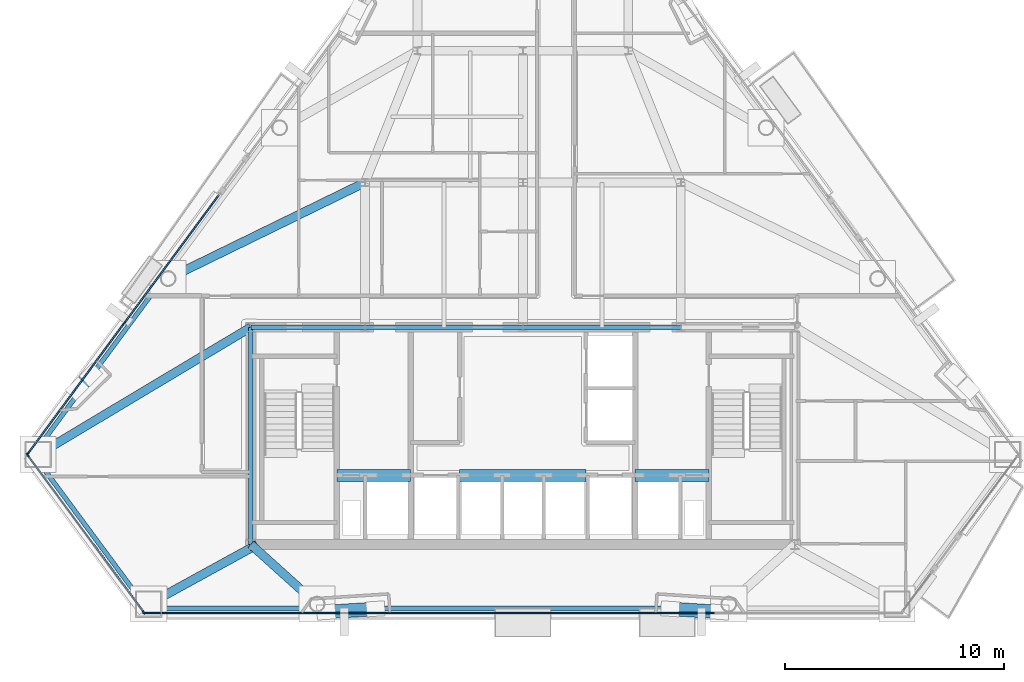
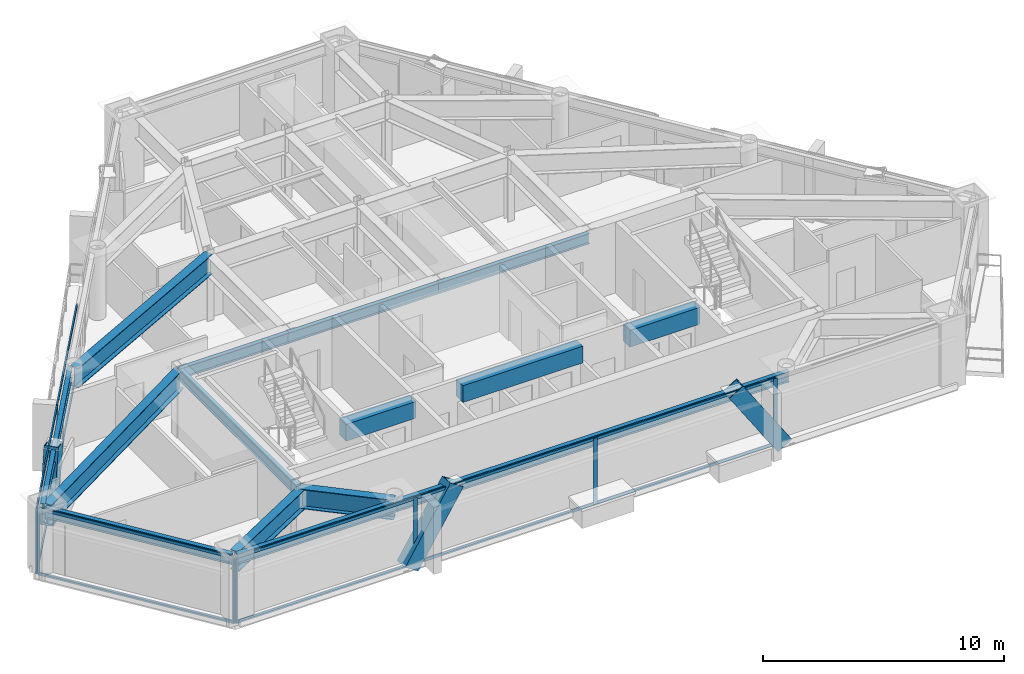
# One storey, part 3 of 11: 23 members, 15 beams, 3 elements without a shape of their own.
"""IFC4 building model written with IfcOpenShell, lengths in metres."""

from ifc_helpers import new_model, si_unit, direction, frame, origin, origin_2d, place, context, subcontext, project, spatial, rectangle, hollow_rectangle, i_section, extrude, material, layer, layer_set, material_profile, profile_set, type_object, element, aggregate, save


model = new_model("IFC4")

# Units and contexts
model_context = context("Model", 3, precision=1e-05, world=origin(), true_north=direction((0.0, 1.0)))
body_context = subcontext(model_context, "Body", "Model", "MODEL_VIEW")
ifc_project = project(units=[si_unit("LENGTHUNIT", "METRE"), si_unit("AREAUNIT", "SQUARE_METRE"), si_unit("VOLUMEUNIT", "CUBIC_METRE"), si_unit("PLANEANGLEUNIT", "RADIAN"), si_unit("MASSUNIT", "GRAM", prefix="KILO")], contexts=[model_context])

# Site, building, storey
site_placement = place(None, origin())
site = spatial("IfcSite", under=ifc_project, at=site_placement, CompositionType="ELEMENT")
building_placement = place(site_placement, origin())
building = spatial("IfcBuilding", under=site, at=building_placement, Name="Talgorran Terracotta Tower", CompositionType="ELEMENT")
storey_placement = place(building_placement, frame((0.0, 0.0, 140.10009765625)))
storey = spatial("IfcBuildingStorey", under=building, at=storey_placement, Name="L36", CompositionType="ELEMENT", Elevation=140.10009765625)

# Beams
ifc_material_1 = material(Name="Steel Grade 350 (350L0)", Category="steel")
ifc_material_profile_1 = material_profile(ifc_material_1, i_section(OverallWidth=0.39990234375, OverallDepth=1.0, WebThickness=0.01611328125, FlangeThickness=0.031005859375, at=origin_2d()), Name="1000WB296")
ifc_profile_set_1 = profile_set([ifc_material_profile_1], Name="Steel Grade 350 (350L0)")
beam_type_1 = type_object("IfcBeamType", Name="BM_1000WB296", PredefinedType="BEAM", material=ifc_profile_set_1)
beam_1_placement = place(storey_placement, frame((-9.381103515625, -16.81884765625, 2.849853515625), z_axis=(-0.74306999476, 0.669213704945, 0.0), x_axis=(-0.669213704945, -0.74306999476, 0.0)))
element("IfcBeam", 1, at=beam_1_placement, inside=storey, type_object=beam_type_1, Name="L36 South-West Core Tie Beam", PredefinedType="BEAM", context=body_context, shape_type="SweptSolid", body=[
    extrude(i_section(OverallWidth=0.39990234375, OverallDepth=1.0, WebThickness=0.01611328125, FlangeThickness=0.031005859375, at=origin_2d()), origin(), (0.0, 0.0, 1.0), 4.0625),
])
beam_2_placement = place(storey_placement, frame((-17.056884765625, -16.81884765625, 2.849853515625), z_axis=(0.876774230839, 0.480902223052, 0.0), x_axis=(-0.480902223052, 0.876774230839, 0.0)))
element("IfcBeam", 2, at=beam_2_placement, inside=storey, type_object=beam_type_1, Name="L36 Perimeter Step Girder 2", PredefinedType="BEAM", context=body_context, shape_type="SweptSolid", body=[
    extrude(i_section(OverallWidth=0.39990234375, OverallDepth=1.0, WebThickness=0.01611328125, FlangeThickness=0.031005859375, at=origin_2d()), origin(), (0.0, 0.0, 1.0), 5.6533203125),
])
beam_3_placement = place(storey_placement, frame((-7.199951171875, 2.39990234375, 2.849853515625), z_axis=(-0.898565721625, -0.438838972655, 0.0), x_axis=(0.438838972655, -0.898565721625, 0.0)))
element("IfcBeam", 3, at=beam_3_placement, inside=storey, type_object=beam_type_1, Name="L36 Floor Girder G06", PredefinedType="BEAM", context=body_context, shape_type="SweptSolid", body=[
    extrude(i_section(OverallWidth=0.39990234375, OverallDepth=1.0, WebThickness=0.01611328125, FlangeThickness=0.031005859375, at=origin_2d()), origin(), (0.0, 0.0, 1.0), 9.981689453125),
])
beam_4_placement = place(storey_placement, frame((-12.39990234375, -4.199951171875, 2.849853515625), z_axis=(-0.858174722871, -0.513357716436, 0.0), x_axis=(0.513357716436, -0.858174722871, 0.0)))
element("IfcBeam", 4, at=beam_4_placement, inside=storey, type_object=beam_type_1, Name="L36 Floor Girder G17", PredefinedType="BEAM", context=body_context, shape_type="SweptSolid", body=[
    extrude(i_section(OverallWidth=0.39990234375, OverallDepth=1.0, WebThickness=0.01611328125, FlangeThickness=0.031005859375, at=origin_2d()), origin(), (0.0, 0.0, 1.0), 11.298828125),
])
ifc_material_2 = material(Name="Concrete C50/60", Category="concrete")
ifc_material_profile_2 = material_profile(ifc_material_2, rectangle(XDim=0.550048828125, YDim=0.85009765625, at=origin_2d()), Name="RCCB550X850")
ifc_profile_set_2 = profile_set([ifc_material_profile_2], Name="Concrete C50/60")
beam_type_2 = type_object("IfcBeamType", Name="BM_CB_550X850", PredefinedType="LINTEL", material=ifc_profile_set_2)
beam_5_placement = place(storey_placement, frame((-8.47998046875, -10.949951171875, 2.9248046875), z_axis=(1.0, 0.0, 0.0), x_axis=(0.0, 1.0, 0.0)))
element("IfcBeam", 5, at=beam_5_placement, inside=storey, type_object=beam_type_2, Name="L36 Core Shear-Wall Coupling Beam CB1", PredefinedType="LINTEL", context=body_context, shape_type="SweptSolid", body=[
    extrude(rectangle(XDim=0.550048828125, YDim=0.85009765625, at=origin_2d()), origin(), (0.0, 0.0, 1.0), 3.35986328125),
])
beam_6_placement = place(storey_placement, frame((-2.8798828125, -10.949951171875, 2.9248046875), z_axis=(1.0, 0.0, 0.0), x_axis=(0.0, 1.0, 0.0)))
element("IfcBeam", 6, at=beam_6_placement, inside=storey, type_object=beam_type_2, Name="L36 Core Shear-Wall Coupling Beam CB2", PredefinedType="LINTEL", context=body_context, shape_type="SweptSolid", body=[
    extrude(rectangle(XDim=0.550048828125, YDim=0.85009765625, at=origin_2d()), origin(), (0.0, 0.0, 1.0), 5.759765625),
])
beam_7_placement = place(storey_placement, frame((5.1201171875, -10.949951171875, 2.9248046875), z_axis=(1.0, 0.0, 0.0), x_axis=(0.0, 1.0, 0.0)))
element("IfcBeam", 7, at=beam_7_placement, inside=storey, type_object=beam_type_2, Name="L36 Core Shear-Wall Coupling Beam CB3", PredefinedType="LINTEL", context=body_context, shape_type="SweptSolid", body=[
    extrude(rectangle(XDim=0.550048828125, YDim=0.85009765625, at=origin_2d()), origin(), (0.0, 0.0, 1.0), 3.35986328125),
])
ifc_material_3 = material(Name="Steel S355 (300PLUS)", Category="steel")
ifc_material_profile_3 = material_profile(ifc_material_3, i_section(OverallWidth=0.209228515625, OverallDepth=0.532958984375, WebThickness=0.01025390625, FlangeThickness=0.015625, at=origin_2d()), Name="530UB92.4")
ifc_profile_set_3 = profile_set([ifc_material_profile_3], Name="Steel S355 (300PLUS)")
beam_type_3 = type_object("IfcBeamType", Name="BM_SP_530UB92", PredefinedType="SPANDREL", material=ifc_profile_set_3)
beam_8_placement = place(storey_placement, frame((-22.2412109375, -10.107177734375, 3.08349609375), z_axis=(0.594369201234, -0.804192298288, 0.0), x_axis=(0.804192298288, 0.594369201234, 0.0)))
element("IfcBeam", 8, at=beam_8_placement, inside=storey, type_object=beam_type_3, Name="L36 Perimeter Spandrel Beam MC1-MC2", PredefinedType="SPANDREL", context=body_context, shape_type="SweptSolid", body=[
    extrude(i_section(OverallWidth=0.209228515625, OverallDepth=0.532958984375, WebThickness=0.01025390625, FlangeThickness=0.015625, at=origin_2d()), origin(), (0.0, 0.0, 1.0), 8.478759765625),
])
beam_9_placement = place(storey_placement, frame((-17.056884765625, -16.998779296875, 3.08349609375), z_axis=(1.0, 0.0, 0.0), x_axis=(0.0, 1.0, 0.0)))
element("IfcBeam", 9, at=beam_9_placement, inside=storey, type_object=beam_type_3, Name="L36 Perimeter Spandrel Beam MC2-FC1", PredefinedType="SPANDREL", context=body_context, shape_type="SweptSolid", body=[
    extrude(i_section(OverallWidth=0.209228515625, OverallDepth=0.532958984375, WebThickness=0.01025390625, FlangeThickness=0.015625, at=origin_2d()), origin(), (0.0, 0.0, 1.0), 7.67578125),
])
beam_10_placement = place(storey_placement, frame((-9.381103515625, -16.998779296875, 3.08349609375), z_axis=(1.0, 0.0, 0.0), x_axis=(0.0, 1.0, 0.0)))
element("IfcBeam", 10, at=beam_10_placement, inside=storey, type_object=beam_type_3, Name="L36 Perimeter Spandrel Beam FC1-FC2", PredefinedType="SPANDREL", context=body_context, shape_type="SweptSolid", body=[
    extrude(i_section(OverallWidth=0.209228515625, OverallDepth=0.532958984375, WebThickness=0.01025390625, FlangeThickness=0.015625, at=origin_2d()), origin(), (0.0, 0.0, 1.0), 18.76220703125),
])
beam_11_placement = place(storey_placement, frame((-16.31396484375, -1.873291015625, 3.08349609375), z_axis=(-0.594352513119, -0.804204632011, 0.0), x_axis=(0.804204632011, -0.594352513119, 0.0)))
element("IfcBeam", 11, at=beam_11_placement, inside=storey, type_object=beam_type_3, Name="L36 Perimeter Spandrel Beam FC6-MC1", PredefinedType="SPANDREL", context=body_context, shape_type="SweptSolid", body=[
    extrude(i_section(OverallWidth=0.209228515625, OverallDepth=0.532958984375, WebThickness=0.01025390625, FlangeThickness=0.015625, at=origin_2d()), origin(), (0.0, 0.0, 1.0), 9.97265625),
])
beam_12_placement = place(storey_placement, frame((-12.39990234375, -14.10009765625, 3.08349609375), z_axis=(0.0, 1.0, 0.0), x_axis=(-1.0, 0.0, 0.0)))
element("IfcBeam", 12, at=beam_12_placement, inside=storey, type_object=beam_type_3, Name="L36 Core Frame Beam CFW", PredefinedType="SPANDREL", context=body_context, shape_type="SweptSolid", body=[
    extrude(i_section(OverallWidth=0.209228515625, OverallDepth=0.532958984375, WebThickness=0.01025390625, FlangeThickness=0.015625, at=origin_2d()), origin(), (0.0, 0.0, 1.0), 9.900146484375),
])
beam_13_placement = place(storey_placement, frame((-12.39990234375, -4.199951171875, 3.08349609375), z_axis=(1.0, 0.0, 0.0), x_axis=(0.0, 1.0, 0.0)))
element("IfcBeam", 13, at=beam_13_placement, inside=storey, type_object=beam_type_3, Name="L36 Core Frame Beam CFN1", PredefinedType="SPANDREL", context=body_context, shape_type="SweptSolid", body=[
    extrude(i_section(OverallWidth=0.209228515625, OverallDepth=0.532958984375, WebThickness=0.01025390625, FlangeThickness=0.015625, at=origin_2d()), origin(), (0.0, 0.0, 1.0), 5.199951171875),
])
for number, where, z_axis, x_axis, name in (
    (14, (-7.199951171875, -4.199951171875, 3.08349609375), (1.0, 0.0, 0.0), (0.0, 1.0, 0.0), "L36 Core Frame Beam CFN2"),
    (15, (0.0, -4.199951171875, 3.08349609375), (1.0, 0.0, 0.0), (0.0, 1.0, 0.0), "L36 Core Frame Beam CFN3"),
):
    element("IfcBeam", number, at=place(storey_placement, frame(where, z_axis=z_axis, x_axis=x_axis)), inside=storey, type_object=beam_type_3, Name=name, PredefinedType="SPANDREL", context=body_context, shape_type="SweptSolid", body=[
        extrude(i_section(OverallWidth=0.209228515625, OverallDepth=0.532958984375, WebThickness=0.01025390625, FlangeThickness=0.015625, at=origin_2d()), origin(), (0.0, 0.0, 1.0), 7.199951171875),
    ])

# Members
ifc_material_profile_4 = material_profile(ifc_material_1, hollow_rectangle(XDim=0.6201171875, YDim=0.780029296875, WallThickness=0.0419921875, at=origin_2d()), Name="WBOX780X620X42")
ifc_profile_set_4 = profile_set([ifc_material_profile_4], Name="Steel Grade 350 (350L0)")
member_type_1 = type_object("IfcMemberType", Name="MB_MEGA_780", PredefinedType="BRACE", material=ifc_profile_set_4)
for number, where, z_axis, x_axis, name in (
    (16, (-8.964111328125, -17.178955078125, -0.025146484375), (0.551712113466, 0.035420623704, 0.833282139057), (-0.064069374757, 0.997945447015, 0.0), "L36 Exterior Face Mega-Brace MB-2 (SWF)"),
    (17, (8.964111328125, -17.178955078125, -0.025146484375), (-0.551712113466, 0.035420623704, 0.833282139057), (-0.064069374757, -0.997945447015, 0.0), "L36 Exterior Face Mega-Brace MB-2 (SEF)"),
):
    element("IfcMember", number, at=place(storey_placement, frame(where, z_axis=z_axis, x_axis=x_axis)), inside=storey, type_object=member_type_1, Name=name, PredefinedType="BRACE", context=body_context, shape_type="SweptSolid", body=[
        extrude(hollow_rectangle(XDim=0.6201171875, YDim=0.780029296875, WallThickness=0.0419921875, at=origin_2d()), origin(), (0.0, 0.0, 1.0), 4.080322265625),
    ])
member_1_placement = place(storey_placement, frame((-20.324951171875, -6.997802734375, -0.025146484375), z_axis=(0.180691172845, 0.17888564998, 0.967135266799), x_axis=(-0.703547356525, 0.710648377981, 0.0)))
element("IfcMember", 18, at=member_1_placement, inside=storey, type_object=member_type_1, Name="L36 Exterior Face Mega-Brace MB-2 (NWL)", PredefinedType="BRACE", context=body_context, shape_type="SweptSolid", body=[
    extrude(hollow_rectangle(XDim=0.6201171875, YDim=0.780029296875, WallThickness=0.0419921875, at=origin_2d()), origin(), (0.0, 0.0, 1.0), 3.515625),
])

# Curtain wall, members
ifc_material_4 = material(Name="Unitised Low-E Double Glazing", Category="glass")
ifc_layer = layer(ifc_material_4, 0.199951171875, Name="CW_SYS2_RES_LOW")
ifc_layer_set = layer_set([ifc_layer], Name="Unitised Low-E Double Glazing")
curtain_wall_type = type_object("IfcCurtainWallType", Name="CW_SYS2_RES_LOW", PredefinedType="NOTDEFINED", material=ifc_layer_set)
curtain_wall_1_placement = place(storey_placement, origin())
curtain_wall_1 = element("IfcCurtainWall", 19, at=curtain_wall_1_placement, inside=storey, type_object=curtain_wall_type, Name="CW-L36-F0", PredefinedType="NOTDEFINED")
ifc_material_5 = material(Name="Architectural Aluminium 6063-T6", Category="aluminium")
ifc_material_profile_5 = material_profile(ifc_material_5, rectangle(XDim=0.06494140625, YDim=0.18505859375, at=origin_2d()), Name="CWM65X185")
ifc_profile_set_5 = profile_set([ifc_material_profile_5], Name="Architectural Aluminium 6063-T6")
member_type_2 = type_object("IfcMemberType", Name="MUL_65X185", PredefinedType="MULLION", material=ifc_profile_set_5)
member_2_placement = place(storey_placement, frame((-22.574462890625, -10.0263671875, 0.0), z_axis=(0.0, 0.0, 1.0), x_axis=(0.80420068261, 0.594357856926, 0.0)))
member_2 = element("IfcMember", 20, at=member_2_placement, type_object=member_type_2, Name="CW-L36-0 mullion 1", PredefinedType="MULLION", context=body_context, shape_type="SweptSolid", body=[
    extrude(rectangle(XDim=0.06494140625, YDim=0.18505859375, at=origin_2d()), origin(), (0.0, 0.0, 1.0), 3.349853515625),
])
member_3_placement = place(storey_placement, frame((-17.27783203125, -17.19287109375, 0.0), z_axis=(0.0, 0.0, 1.0), x_axis=(0.80420068261, 0.594357856926, 0.0)))
member_3 = element("IfcMember", 21, at=member_3_placement, type_object=member_type_2, Name="CW-L36-0 mullion 2", PredefinedType="MULLION", context=body_context, shape_type="SweptSolid", body=[
    extrude(rectangle(XDim=0.06494140625, YDim=0.18505859375, at=origin_2d()), origin(), (0.0, 0.0, 1.0), 3.349853515625),
])

curtain_wall_2_placement = place(storey_placement, origin())
curtain_wall_2 = element("IfcCurtainWall", 22, at=curtain_wall_2_placement, inside=storey, type_object=curtain_wall_type, Name="CW-L36-F1", PredefinedType="NOTDEFINED")
member_4_placement = place(storey_placement, frame((-17.22607421875, -17.218994140625, 0.0), z_axis=(0.0, 0.0, 1.0), x_axis=(0.0, 1.0, 0.0)))
member_4 = element("IfcMember", 23, at=member_4_placement, type_object=member_type_2, Name="CW-L36-1 mullion 1", PredefinedType="MULLION", context=body_context, shape_type="SweptSolid", body=[
    extrude(rectangle(XDim=0.06494140625, YDim=0.18505859375, at=origin_2d()), origin(), (0.0, 0.0, 1.0), 3.349853515625),
])
member_5_placement = place(storey_placement, frame((-8.62939453125, -17.218994140625, 0.0), z_axis=(0.0, 0.0, 1.0), x_axis=(0.0, 1.0, 0.0)))
member_5 = element("IfcMember", 24, at=member_5_placement, type_object=member_type_2, Name="CW-L36-1 mullion 2", PredefinedType="MULLION", context=body_context, shape_type="SweptSolid", body=[
    extrude(rectangle(XDim=0.06494140625, YDim=0.18505859375, at=origin_2d()), origin(), (0.0, 0.0, 1.0), 3.349853515625),
])
member_6_placement = place(storey_placement, frame((0.0, -17.218994140625, 0.0), z_axis=(0.0, 0.0, 1.0), x_axis=(0.0, 1.0, 0.0)))
member_6 = element("IfcMember", 25, at=member_6_placement, type_object=member_type_2, Name="CW-L36-1 mullion 3", PredefinedType="MULLION", context=body_context, shape_type="SweptSolid", body=[
    extrude(rectangle(XDim=0.06494140625, YDim=0.18505859375, at=origin_2d()), origin(), (0.0, 0.0, 1.0), 3.349853515625),
])
member_7_placement = place(storey_placement, frame((8.62939453125, -17.218994140625, 0.0), z_axis=(0.0, 0.0, 1.0), x_axis=(0.0, 1.0, 0.0)))
member_7 = element("IfcMember", 26, at=member_7_placement, type_object=member_type_2, Name="CW-L36-1 mullion 4", PredefinedType="MULLION", context=body_context, shape_type="SweptSolid", body=[
    extrude(rectangle(XDim=0.06494140625, YDim=0.18505859375, at=origin_2d()), origin(), (0.0, 0.0, 1.0), 3.349853515625),
])

curtain_wall_3_placement = place(storey_placement, origin())
curtain_wall_3 = element("IfcCurtainWall", 27, at=curtain_wall_3_placement, inside=storey, type_object=curtain_wall_type, Name="CW-L36-F61", PredefinedType="NOTDEFINED")
member_8_placement = place(storey_placement, frame((-18.18994140625, -4.041748046875, 0.0), z_axis=(0.0, 0.0, 1.0), x_axis=(0.80419940728, -0.594359582518, 0.0)))
member_8 = element("IfcMember", 28, at=member_8_placement, type_object=member_type_2, Name="CW-L36-61 mullion 2", PredefinedType="MULLION", context=body_context, shape_type="SweptSolid", body=[
    extrude(rectangle(XDim=0.06494140625, YDim=0.18505859375, at=origin_2d()), origin(), (0.0, 0.0, 1.0), 3.349853515625),
])
member_9_placement = place(storey_placement, frame((-22.550537109375, -9.94189453125, 0.0), z_axis=(0.0, 0.0, 1.0), x_axis=(0.80419940728, -0.594359582518, 0.0)))
member_9 = element("IfcMember", 29, at=member_9_placement, type_object=member_type_2, Name="CW-L36-61 mullion 3", PredefinedType="MULLION", context=body_context, shape_type="SweptSolid", body=[
    extrude(rectangle(XDim=0.06494140625, YDim=0.18505859375, at=origin_2d()), origin(), (0.0, 0.0, 1.0), 3.349853515625),
])

# Member
ifc_material_profile_6 = material_profile(ifc_material_5, rectangle(XDim=0.06494140625, YDim=0.14990234375, at=origin_2d()), Name="CWT65X150")
ifc_profile_set_6 = profile_set([ifc_material_profile_6], Name="Architectural Aluminium 6063-T6")
member_type_3 = type_object("IfcMemberType", Name="TRN_65X150", PredefinedType="USERDEFINED", material=ifc_profile_set_6)
member_10_placement = place(storey_placement, frame((-22.55517578125, -10.052490234375, 0.032470703125), z_axis=(0.59436855771, -0.804192773908, 0.0), x_axis=(0.804192773908, 0.59436855771, 0.0)))
member_10 = element("IfcMember", 30, at=member_10_placement, type_object=member_type_3, Name="CW-L36-0 transom 1.1", ObjectType="TRANSOM", PredefinedType="USERDEFINED", context=body_context, shape_type="SweptSolid", body=[
    extrude(rectangle(XDim=0.06494140625, YDim=0.14990234375, at=origin_2d()), origin(), (0.0, 0.0, 1.0), 8.846435546875),
])

member_11_placement = place(storey_placement, frame((-22.55517578125, -10.052490234375, 3.3173828125), z_axis=(0.59436855771, -0.804192773908, 0.0), x_axis=(0.804192773908, 0.59436855771, 0.0)))
member_11 = element("IfcMember", 31, at=member_11_placement, type_object=member_type_3, Name="CW-L36-0 transom 1.2", ObjectType="TRANSOM", PredefinedType="USERDEFINED", context=body_context, shape_type="SweptSolid", body=[
    extrude(rectangle(XDim=0.06494140625, YDim=0.14990234375, at=origin_2d()), origin(), (0.0, 0.0, 1.0), 8.846435546875),
])

aggregate(curtain_wall_1, [member_2, member_3, member_10, member_11])

member_12_placement = place(storey_placement, frame((-17.193603515625, -17.218994140625, 0.032470703125), z_axis=(1.0, 0.0, 0.0), x_axis=(0.0, 1.0, 0.0)))
member_12 = element("IfcMember", 32, at=member_12_placement, type_object=member_type_3, Name="CW-L36-1 transom 1.1", ObjectType="TRANSOM", PredefinedType="USERDEFINED", context=body_context, shape_type="SweptSolid", body=[
    extrude(rectangle(XDim=0.06494140625, YDim=0.14990234375, at=origin_2d()), origin(), (0.0, 0.0, 1.0), 8.53173828125),
])

member_13_placement = place(storey_placement, frame((-17.193603515625, -17.218994140625, 3.3173828125), z_axis=(1.0, 0.0, 0.0), x_axis=(0.0, 1.0, 0.0)))
member_13 = element("IfcMember", 33, at=member_13_placement, type_object=member_type_3, Name="CW-L36-1 transom 1.2", ObjectType="TRANSOM", PredefinedType="USERDEFINED", context=body_context, shape_type="SweptSolid", body=[
    extrude(rectangle(XDim=0.06494140625, YDim=0.14990234375, at=origin_2d()), origin(), (0.0, 0.0, 1.0), 8.53173828125),
])

member_14_placement = place(storey_placement, frame((-8.5966796875, -17.218994140625, 0.032470703125), z_axis=(1.0, 0.0, 0.0), x_axis=(0.0, 1.0, 0.0)))
member_14 = element("IfcMember", 34, at=member_14_placement, type_object=member_type_3, Name="CW-L36-1 transom 2.1", ObjectType="TRANSOM", PredefinedType="USERDEFINED", context=body_context, shape_type="SweptSolid", body=[
    extrude(rectangle(XDim=0.06494140625, YDim=0.14990234375, at=origin_2d()), origin(), (0.0, 0.0, 1.0), 8.564208984375),
])

member_15_placement = place(storey_placement, frame((-8.5966796875, -17.218994140625, 3.3173828125), z_axis=(1.0, 0.0, 0.0), x_axis=(0.0, 1.0, 0.0)))
member_15 = element("IfcMember", 35, at=member_15_placement, type_object=member_type_3, Name="CW-L36-1 transom 2.2", ObjectType="TRANSOM", PredefinedType="USERDEFINED", context=body_context, shape_type="SweptSolid", body=[
    extrude(rectangle(XDim=0.06494140625, YDim=0.14990234375, at=origin_2d()), origin(), (0.0, 0.0, 1.0), 8.564208984375),
])

member_16_placement = place(storey_placement, frame((0.032470703125, -17.218994140625, 0.032470703125), z_axis=(1.0, 0.0, 0.0), x_axis=(0.0, 1.0, 0.0)))
member_16 = element("IfcMember", 36, at=member_16_placement, type_object=member_type_3, Name="CW-L36-1 transom 3.1", ObjectType="TRANSOM", PredefinedType="USERDEFINED", context=body_context, shape_type="SweptSolid", body=[
    extrude(rectangle(XDim=0.06494140625, YDim=0.14990234375, at=origin_2d()), origin(), (0.0, 0.0, 1.0), 8.564208984375),
])

member_17_placement = place(storey_placement, frame((0.032470703125, -17.218994140625, 3.3173828125), z_axis=(1.0, 0.0, 0.0), x_axis=(0.0, 1.0, 0.0)))
member_17 = element("IfcMember", 37, at=member_17_placement, type_object=member_type_3, Name="CW-L36-1 transom 3.2", ObjectType="TRANSOM", PredefinedType="USERDEFINED", context=body_context, shape_type="SweptSolid", body=[
    extrude(rectangle(XDim=0.06494140625, YDim=0.14990234375, at=origin_2d()), origin(), (0.0, 0.0, 1.0), 8.564208984375),
])

aggregate(curtain_wall_2, [member_4, member_5, member_6, member_7, member_12, member_13, member_14, member_15, member_16, member_17])

member_18_placement = place(storey_placement, frame((-13.8486328125, 1.832275390625, 0.032470703125), z_axis=(-0.594360852256, -0.804198468853, 0.0), x_axis=(0.804198468853, -0.594360852256, 0.0)))
member_18 = element("IfcMember", 38, at=member_18_placement, type_object=member_type_3, Name="CW-L36-61 transom 1.1", ObjectType="TRANSOM", PredefinedType="USERDEFINED", context=body_context, shape_type="SweptSolid", body=[
    extrude(rectangle(XDim=0.06494140625, YDim=0.14990234375, at=origin_2d()), origin(), (0.0, 0.0, 1.0), 7.271728515625),
])

member_19_placement = place(storey_placement, frame((-13.8486328125, 1.832275390625, 3.3173828125), z_axis=(-0.594360852256, -0.804198468853, 0.0), x_axis=(0.804198468853, -0.594360852256, 0.0)))
member_19 = element("IfcMember", 39, at=member_19_placement, type_object=member_type_3, Name="CW-L36-61 transom 1.2", ObjectType="TRANSOM", PredefinedType="USERDEFINED", context=body_context, shape_type="SweptSolid", body=[
    extrude(rectangle(XDim=0.06494140625, YDim=0.14990234375, at=origin_2d()), origin(), (0.0, 0.0, 1.0), 7.271728515625),
])

member_20_placement = place(storey_placement, frame((-18.209228515625, -4.06787109375, 0.032470703125), z_axis=(-0.594360852256, -0.804198468853, 0.0), x_axis=(0.804198468853, -0.594360852256, 0.0)))
member_20 = element("IfcMember", 40, at=member_20_placement, type_object=member_type_3, Name="CW-L36-61 transom 2.1", ObjectType="TRANSOM", PredefinedType="USERDEFINED", context=body_context, shape_type="SweptSolid", body=[
    extrude(rectangle(XDim=0.06494140625, YDim=0.14990234375, at=origin_2d()), origin(), (0.0, 0.0, 1.0), 7.271728515625),
])

member_21_placement = place(storey_placement, frame((-18.209228515625, -4.06787109375, 3.3173828125), z_axis=(-0.594360852256, -0.804198468853, 0.0), x_axis=(0.804198468853, -0.594360852256, 0.0)))
member_21 = element("IfcMember", 41, at=member_21_placement, type_object=member_type_3, Name="CW-L36-61 transom 2.2", ObjectType="TRANSOM", PredefinedType="USERDEFINED", context=body_context, shape_type="SweptSolid", body=[
    extrude(rectangle(XDim=0.06494140625, YDim=0.14990234375, at=origin_2d()), origin(), (0.0, 0.0, 1.0), 7.271728515625),
])

aggregate(curtain_wall_3, [member_8, member_9, member_18, member_19, member_20, member_21])

save(model, "model.ifc")
